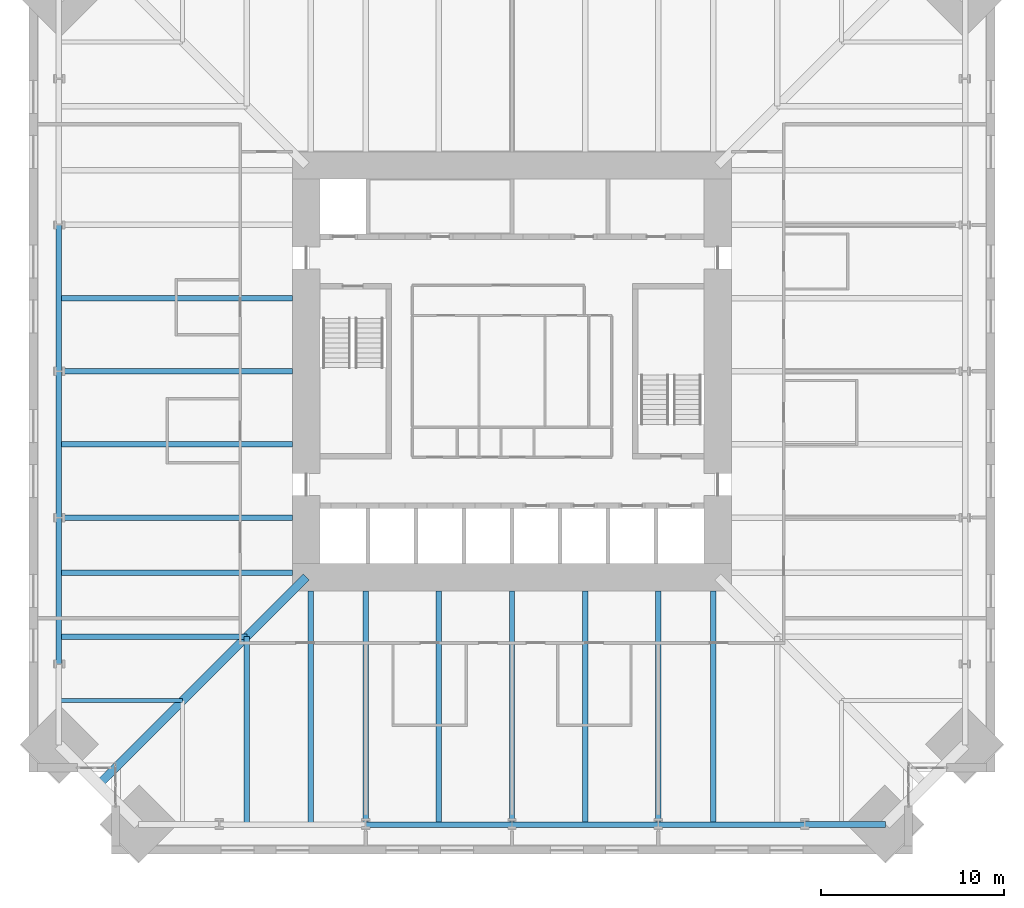
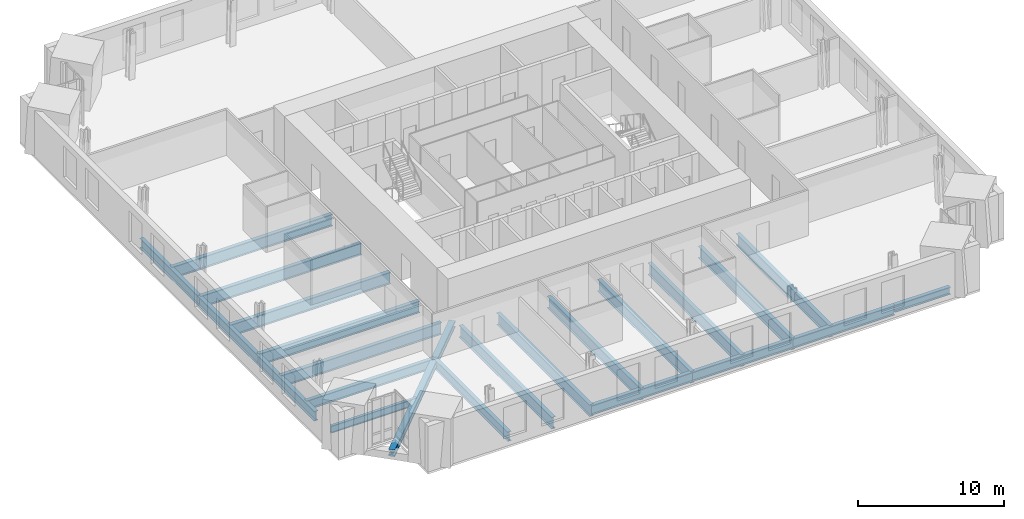
# One storey, part 3 of 18: 23 beams.
"""IFC4 building model written with IfcOpenShell, lengths in metres."""

from ifc_helpers import new_model, si_unit, direction, frame, origin, origin_2d, place, context, subcontext, project, spatial, i_section, extrude, material, material_profile, profile_set, type_object, element, save


model = new_model("IFC4")

# Units and contexts
model_context = context("Model", 3, precision=1e-05, world=origin(), true_north=direction((0.0, 1.0)))
body_context = subcontext(model_context, "Body", "Model", "MODEL_VIEW")
ifc_project = project(units=[si_unit("LENGTHUNIT", "METRE"), si_unit("AREAUNIT", "SQUARE_METRE"), si_unit("VOLUMEUNIT", "CUBIC_METRE"), si_unit("PLANEANGLEUNIT", "RADIAN"), si_unit("MASSUNIT", "GRAM", prefix="KILO")], contexts=[model_context])

# Site, building, storey
site_placement = place(None, origin())
site = spatial("IfcSite", under=ifc_project, at=site_placement, CompositionType="ELEMENT")
building_placement = place(site_placement, origin())
building = spatial("IfcBuilding", under=site, at=building_placement, Name="Peilmerk Tower", CompositionType="ELEMENT")
storey_placement = place(building_placement, frame((0.0, 0.0, 151.800048828125)))
storey = spatial("IfcBuildingStorey", under=building, at=storey_placement, Name="L31", CompositionType="ELEMENT", Elevation=151.800048828125)

# Beams
ifc_material_1 = material(Name="Steel S355", Category="steel")
ifc_material_profile_1 = material_profile(ifc_material_1, i_section(OverallWidth=0.219970703125, OverallDepth=0.60009765625, WebThickness=0.011962890625, FlangeThickness=0.01904296875, at=origin_2d()), Name="IPE 600")
ifc_profile_set_1 = profile_set([ifc_material_profile_1], Name="Steel S355")
beam_type_1 = type_object("IfcBeamType", Name="B10 IPE 600 floor beam", PredefinedType="BEAM", material=ifc_profile_set_1)
beam_1_placement = place(storey_placement, frame((-18.0, -18.0, -0.469970703125), z_axis=(-1.0, 0.0, 0.0), x_axis=(0.0, -1.0, 0.0)))
element("IfcBeam", 1, at=beam_1_placement, inside=storey, type_object=beam_type_1, Name="Floor beam L31", PredefinedType="BEAM", context=body_context, shape_type="SweptSolid", body=[
    extrude(i_section(OverallWidth=0.219970703125, OverallDepth=0.60009765625, WebThickness=0.011962890625, FlangeThickness=0.01904296875, at=origin_2d()), origin(), (0.0, 0.0, 1.0), 6.77587890625),
])
ifc_material_profile_2 = material_profile(ifc_material_1, i_section(OverallWidth=0.300048828125, OverallDepth=0.989990234375, WebThickness=0.0166015625, FlangeThickness=0.031005859375, at=origin_2d()), Name="HEA 1000")
ifc_profile_set_2 = profile_set([ifc_material_profile_2], Name="Steel S355")
beam_type_2 = type_object("IfcBeamType", Name="B14 HEA 1000 floor girder", PredefinedType="BEAM", material=ifc_profile_set_2)
for number, where, z_axis, x_axis, name in (
    (2, (-11.0, -12.0, -0.6650390625), (0.0, -1.0, 0.0), (1.0, 0.0, 0.0), "Floor beam L31"),
    (3, (-8.0, -12.0, -0.6650390625), (0.0, -1.0, 0.0), (1.0, 0.0, 0.0), "Floor beam L31"),
    (4, (-4.0, -12.0, -0.6650390625), (0.0, -1.0, 0.0), (1.0, 0.0, 0.0), "Floor beam L31"),
    (5, (0.0, -12.0, -0.6650390625), (0.0, -1.0, 0.0), (1.0, 0.0, 0.0), "Floor beam L31"),
    (6, (4.0, -12.0, -0.6650390625), (0.0, -1.0, 0.0), (1.0, 0.0, 0.0), "Floor beam L31"),
    (7, (8.0, -12.0, -0.6650390625), (0.0, -1.0, 0.0), (1.0, 0.0, 0.0), "Floor beam L31"),
    (8, (11.0, -12.0, -0.6650390625), (0.0, -1.0, 0.0), (1.0, 0.0, 0.0), "Floor beam L31"),
    (9, (-12.0, 4.0, -0.6650390625), (-1.0, 0.0, 0.0), (0.0, -1.0, 0.0), "Floor beam L31"),
    (10, (-12.0, 0.0, -0.6650390625), (-1.0, 0.0, 0.0), (0.0, -1.0, 0.0), "Floor beam L31"),
    (11, (-12.0, -4.0, -0.6650390625), (-1.0, 0.0, 0.0), (0.0, -1.0, 0.0), "Floor beam L31"),
    (12, (-12.0, -8.0, -0.6650390625), (-1.0, 0.0, 0.0), (0.0, -1.0, 0.0), "Floor beam L31"),
    (13, (-12.0, -11.0, -0.6650390625), (-1.0, 0.0, 0.0), (0.0, -1.0, 0.0), "Floor beam L31"),
):
    element("IfcBeam", number, at=place(storey_placement, frame(where, z_axis=z_axis, x_axis=x_axis)), inside=storey, type_object=beam_type_2, Name=name, PredefinedType="BEAM", context=body_context, shape_type="SweptSolid", body=[
        extrude(i_section(OverallWidth=0.300048828125, OverallDepth=0.989990234375, WebThickness=0.0166015625, FlangeThickness=0.031005859375, at=origin_2d()), origin(), (0.0, 0.0, 1.0), 12.77587890625),
    ])
ifc_material_profile_3 = material_profile(ifc_material_1, i_section(OverallWidth=0.302978515625, OverallDepth=0.81396484375, WebThickness=0.02099609375, FlangeThickness=0.0400390625, at=origin_2d()), Name="HEM 800")
ifc_profile_set_3 = profile_set([ifc_material_profile_3], Name="Steel S355")
beam_type_3 = type_object("IfcBeamType", Name="B15 HEM 800 edge beam", PredefinedType="SPANDREL", material=ifc_profile_set_3)
for number, where, z_axis, x_axis, name in (
    (14, (-8.0, -24.77587890625, -0.5771484375), (1.0, 0.0, 0.0), (0.0, 1.0, 0.0), "Edge beam L31"),
    (15, (0.0, -24.77587890625, -0.5771484375), (1.0, 0.0, 0.0), (0.0, 1.0, 0.0), "Edge beam L31"),
    (16, (8.0, -24.77587890625, -0.5771484375), (1.0, 0.0, 0.0), (0.0, 1.0, 0.0), "Edge beam L31"),
    (17, (-24.77587890625, 8.0, -0.5771484375), (0.0, -1.0, 0.0), (1.0, 0.0, 0.0), "Edge beam L31"),
    (18, (-24.77587890625, 0.0, -0.5771484375), (0.0, -1.0, 0.0), (1.0, 0.0, 0.0), "Edge beam L31"),
    (19, (-24.77587890625, -8.0, -0.5771484375), (0.0, -1.0, 0.0), (1.0, 0.0, 0.0), "Edge beam L31"),
):
    element("IfcBeam", number, at=place(storey_placement, frame(where, z_axis=z_axis, x_axis=x_axis)), inside=storey, type_object=beam_type_3, Name=name, PredefinedType="SPANDREL", context=body_context, shape_type="SweptSolid", body=[
        extrude(i_section(OverallWidth=0.302978515625, OverallDepth=0.81396484375, WebThickness=0.02099609375, FlangeThickness=0.0400390625, at=origin_2d()), origin(), (0.0, 0.0, 1.0), 8.0),
    ])
ifc_material_profile_4 = material_profile(ifc_material_1, i_section(OverallWidth=0.300048828125, OverallDepth=0.7900390625, WebThickness=0.014892578125, FlangeThickness=0.028076171875, at=origin_2d()), Name="HEA 800")
ifc_profile_set_4 = profile_set([ifc_material_profile_4], Name="Steel S355")
beam_type_4 = type_object("IfcBeamType", Name="B3 HEA 800 floor beam", PredefinedType="BEAM", material=ifc_profile_set_4)
for number, where, z_axis, x_axis, name in (
    (20, (-14.5, -14.5, -0.56494140625), (0.0, -1.0, 0.0), (1.0, 0.0, 0.0), "Floor beam L31"),
    (21, (-14.5, -14.5, -0.56494140625), (-1.0, 0.0, 0.0), (0.0, -1.0, 0.0), "Floor beam L31"),
):
    element("IfcBeam", number, at=place(storey_placement, frame(where, z_axis=z_axis, x_axis=x_axis)), inside=storey, type_object=beam_type_4, Name=name, PredefinedType="BEAM", context=body_context, shape_type="SweptSolid", body=[
        extrude(i_section(OverallWidth=0.300048828125, OverallDepth=0.7900390625, WebThickness=0.014892578125, FlangeThickness=0.028076171875, at=origin_2d()), origin(), (0.0, 0.0, 1.0), 10.27587890625),
    ])
ifc_material_profile_5 = material_profile(ifc_material_1, i_section(OverallWidth=0.304931640625, OverallDepth=0.6201171875, WebThickness=0.02099609375, FlangeThickness=0.0400390625, at=origin_2d()), Name="HEM 600")
ifc_profile_set_5 = profile_set([ifc_material_profile_5], Name="Steel S355")
beam_type_5 = type_object("IfcBeamType", Name="B31 HEM 600 edge beam", PredefinedType="SPANDREL", material=ifc_profile_set_5)
beam_2_placement = place(storey_placement, frame((16.0, -24.77587890625, -0.47998046875), z_axis=(1.0, 0.0, 0.0), x_axis=(0.0, 1.0, 0.0)))
element("IfcBeam", 22, at=beam_2_placement, inside=storey, type_object=beam_type_5, Name="Edge beam L31", PredefinedType="SPANDREL", context=body_context, shape_type="SweptSolid", body=[
    extrude(i_section(OverallWidth=0.304931640625, OverallDepth=0.6201171875, WebThickness=0.02099609375, FlangeThickness=0.0400390625, at=origin_2d()), origin(), (0.0, 0.0, 1.0), 4.42578125),
])
ifc_material_2 = material(Name="Steel S460", Category="steel")
ifc_material_profile_6 = material_profile(ifc_material_2, i_section(OverallWidth=0.4541015625, OverallDepth=0.569091796875, WebThickness=0.077880859375, FlangeThickness=0.125, at=origin_2d()), Name="HD 400x1086")
ifc_profile_set_6 = profile_set([ifc_material_profile_6], Name="Steel S460")
beam_type_6 = type_object("IfcBeamType", Name="B9 HD 400x1086 corner girder", PredefinedType="BEAM", material=ifc_profile_set_6)
beam_3_placement = place(storey_placement, frame((-11.25, -11.25, -0.45458984375), z_axis=(-0.707106781187, -0.707106781187, 0.0), x_axis=(0.707106781187, -0.707106781187, 0.0)))
element("IfcBeam", 23, at=beam_3_placement, inside=storey, type_object=beam_type_6, Name="Corner girder L31", PredefinedType="BEAM", context=body_context, shape_type="SweptSolid", body=[
    extrude(i_section(OverallWidth=0.4541015625, OverallDepth=0.569091796875, WebThickness=0.077880859375, FlangeThickness=0.125, at=origin_2d()), origin(), (0.0, 0.0, 1.0), 16.052490234375),
])

save(model, "model.ifc")
